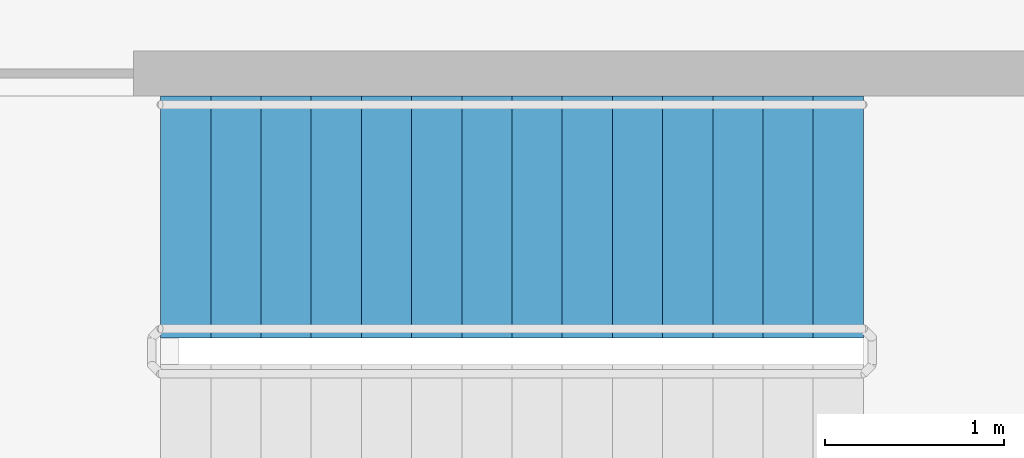
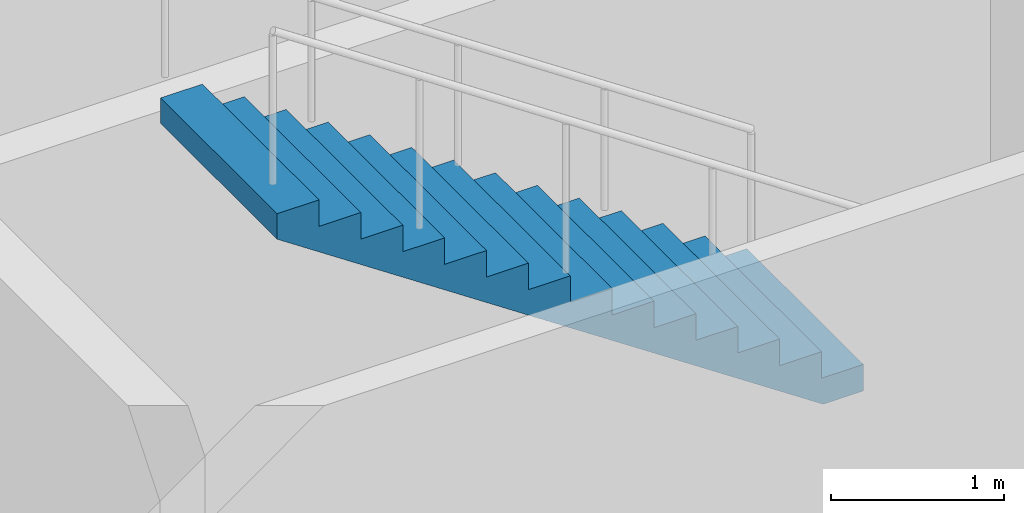
# One storey, part 9 of 19: 1 stair flight, 1 element without a shape of its own.
"""IFC4 building model written with IfcOpenShell, lengths in metres."""

from ifc_helpers import new_model, si_unit, direction, frame, origin, place, context, subcontext, project, spatial, polyline, outline, extrude, material, type_object, element, aggregate, save


model = new_model("IFC4")

# Units and contexts
model_context = context("Model", 3, precision=1e-05, world=origin(), true_north=direction((0.0, 1.0)))
body_context = subcontext(model_context, "Body", "Model", "MODEL_VIEW")
ifc_project = project(units=[si_unit("LENGTHUNIT", "METRE"), si_unit("AREAUNIT", "SQUARE_METRE"), si_unit("VOLUMEUNIT", "CUBIC_METRE"), si_unit("PLANEANGLEUNIT", "RADIAN"), si_unit("MASSUNIT", "GRAM", prefix="KILO")], contexts=[model_context])

# Site, building, storey
site_placement = place(None, origin())
site = spatial("IfcSite", under=ifc_project, at=site_placement, CompositionType="ELEMENT")
building_placement = place(site_placement, origin())
building = spatial("IfcBuilding", under=site, at=building_placement, Name="Saffron Gate Tower", CompositionType="ELEMENT")
storey_placement = place(building_placement, frame((0.0, 0.0, 84.0)))
storey = spatial("IfcBuildingStorey", under=building, at=storey_placement, Name="L20", CompositionType="ELEMENT", Elevation=84.0)

# Stair, stair flight
ifc_material = material(Name="Concrete C40", Category="concrete")
stair_type = type_object("IfcStairType", Name="ST8 Stair 1350 wide, 60 risers of 188", PredefinedType="HALF_TURN_STAIR", material=ifc_material)
stair_placement = place(storey_placement, origin())
stair = element("IfcStair", 1, at=stair_placement, inside=storey, type_object=stair_type, Name="L20 Exit stair B", PredefinedType="HALF_TURN_STAIR")
stair_flight_type = type_object("IfcStairFlightType", Name="SF2 Stair flight 1350 wide, riser 188 going 280", PredefinedType="STRAIGHT", material=ifc_material)
stair_flight_placement = place(storey_placement, frame((105.77001953125, 67.375, 8.4375), z_axis=(0.0, 0.0, 1.0), x_axis=(-1.0, 0.0, 0.0)))
stair_flight = element("IfcStairFlight", 2, at=stair_flight_placement, type_object=stair_flight_type, Name="ST-B flight 4", NumberOfRisers=15, NumberOfTreads=14, PredefinedType="STRAIGHT", RiserHeight=0.1875, TreadLength=0.28, context=body_context, shape_type="SweptSolid", body=[
    extrude(outline(polyline([(0.0, 0.0), (0.0, 0.1875), (0.280029296875, 0.1875), (0.280029296875, 0.375), (0.56005859375, 0.375), (0.56005859375, 0.5625), (0.840087890625, 0.5625), (0.840087890625, 0.75), (1.1201171875, 0.75), (1.1201171875, 0.9375), (1.39990234375, 0.9375), (1.39990234375, 1.125), (1.679931640625, 1.125), (1.679931640625, 1.3125), (1.9599609375, 1.3125), (1.9599609375, 1.5), (2.239990234375, 1.5), (2.239990234375, 1.6875), (2.52001953125, 1.6875), (2.52001953125, 1.875), (2.800048828125, 1.875), (2.800048828125, 2.0625), (3.080078125, 2.0625), (3.080078125, 2.25), (3.360107421875, 2.25), (3.360107421875, 2.4375), (3.639892578125, 2.4375), (3.639892578125, 2.625), (3.919921875, 2.625), (3.919921875, 2.8125), (3.919921875, 2.444580078125), (0.26953125, 0.0), (0.0, 0.0)])), frame((0.0, 0.675048828125, 0.0), z_axis=(0.0, -1.0, 0.0), x_axis=(1.0, 0.0, 0.0)), (0.0, 0.0, 1.0), 1.35009765625),
])
aggregate(stair, [stair_flight])

save(model, "model.ifc")
